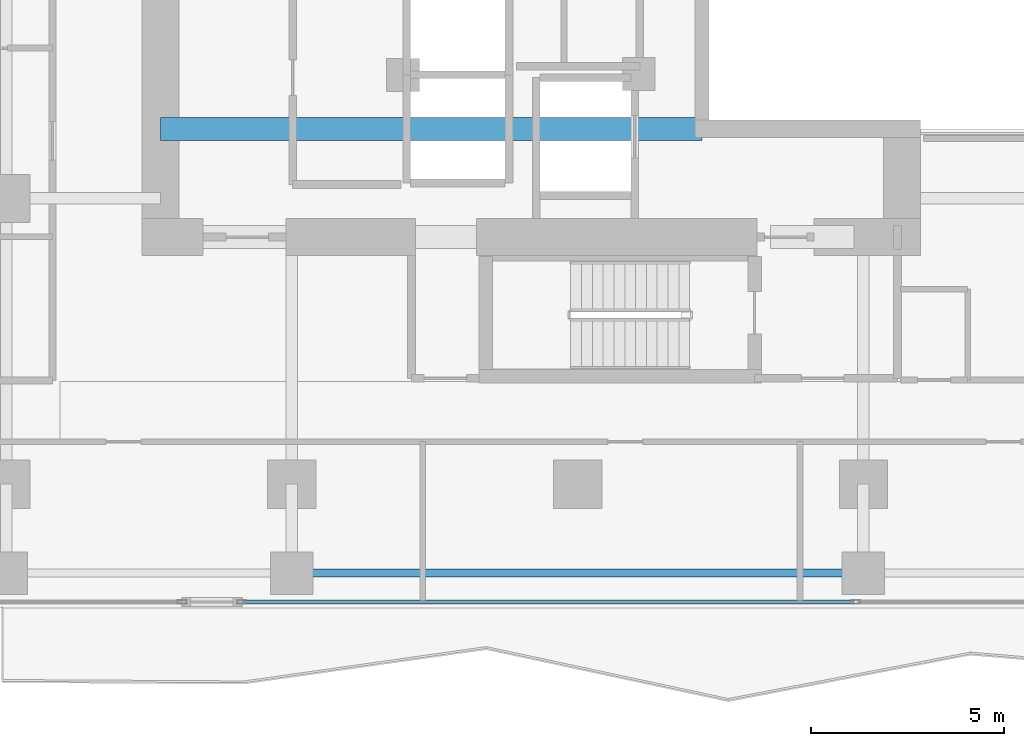
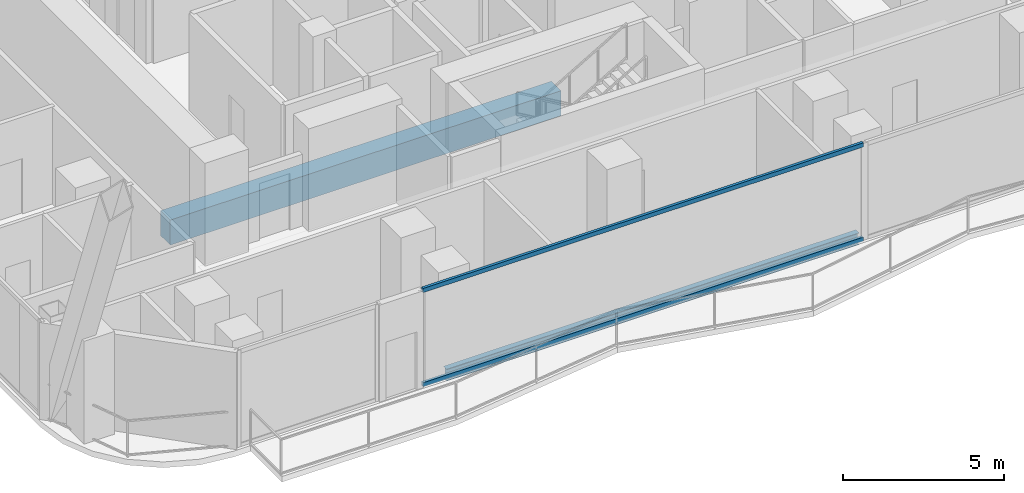
# One storey, part 3 of 28: 2 beams, 2 members, 1 element without a shape of its own.
"""IFC4 building model written with IfcOpenShell, lengths in metres."""

from ifc_helpers import new_model, si_unit, direction, frame, origin, origin_2d, place, context, subcontext, project, spatial, rectangle, hollow_rectangle, i_section, extrude, material, layer, layer_set, material_profile, profile_set, type_object, element, aggregate, save


model = new_model("IFC4")

# Units and contexts
model_context = context("Model", 3, precision=1e-05, world=origin(), true_north=direction((0.0, 1.0)))
body_context = subcontext(model_context, "Body", "Model", "MODEL_VIEW")
ifc_project = project(units=[si_unit("LENGTHUNIT", "METRE"), si_unit("AREAUNIT", "SQUARE_METRE"), si_unit("VOLUMEUNIT", "CUBIC_METRE"), si_unit("PLANEANGLEUNIT", "RADIAN"), si_unit("MASSUNIT", "GRAM", prefix="KILO")], contexts=[model_context])

# Site, building, storey
site_placement = place(None, origin())
site = spatial("IfcSite", under=ifc_project, at=site_placement, CompositionType="ELEMENT")
building_placement = place(site_placement, origin())
building = spatial("IfcBuilding", under=site, at=building_placement, Name="Khorvyn Point Tower", CompositionType="ELEMENT")
storey_placement = place(building_placement, frame((0.0, 0.0, 121.199951171875)))
storey = spatial("IfcBuildingStorey", under=building, at=storey_placement, Name="L30", CompositionType="ELEMENT", Elevation=121.199951171875)

# Curtain wall, members
ifc_material_1 = material(Name="Anodised aluminium 6063-T6 and laminated Low-E glass", Category="aluminium")
ifc_layer = layer(ifc_material_1, 0.18994140625)
ifc_layer_set = layer_set([ifc_layer], Name="Stick-Built Acoustic Curtain Wall CW-SYS-03")
curtain_wall_type = type_object("IfcCurtainWallType", Name="Stick-Built Acoustic Curtain Wall CW-SYS-03", PredefinedType="NOTDEFINED", material=ifc_layer_set)
curtain_wall_placement = place(storey_placement, origin())
curtain_wall = element("IfcCurtainWall", 1, at=curtain_wall_placement, inside=storey, type_object=curtain_wall_type, Name="Curtain Wall", PredefinedType="NOTDEFINED")
ifc_material_2 = material(Name="Anodised aluminium 6063-T6", Category="aluminium")
ifc_material_profile_1 = material_profile(ifc_material_2, hollow_rectangle(XDim=0.10009765625, YDim=0.159912109375, WallThickness=0.00439453125, at=origin_2d()))
ifc_profile_set_1 = profile_set([ifc_material_profile_1], Name="Anodised aluminium 6063-T6 ALU-TRN-100x160")
member_type = type_object("IfcMemberType", Name="Anodised Aluminium 6063-T6 Transom ALU-TRN-100x160", PredefinedType="USERDEFINED", material=ifc_profile_set_1)
member_1_placement = place(storey_placement, frame((7.1494140625, -17.85009765625, 0.050048828125), z_axis=(-1.0, 0.0, 0.0), x_axis=(0.0, -1.0, 0.0)))
member_1 = element("IfcMember", 2, at=member_1_placement, type_object=member_type, Name="Transom", ObjectType="TRANSOM", PredefinedType="USERDEFINED", context=body_context, shape_type="SweptSolid", body=[
    extrude(hollow_rectangle(XDim=0.10009765625, YDim=0.159912109375, WallThickness=0.00439453125, at=origin_2d()), origin(), (0.0, 0.0, 1.0), 15.80029296875),
])
member_2_placement = place(storey_placement, frame((7.1494140625, -17.85009765625, 3.630126953125), z_axis=(-1.0, 0.0, 0.0), x_axis=(0.0, -1.0, 0.0)))
member_2 = element("IfcMember", 3, at=member_2_placement, type_object=member_type, Name="Transom", ObjectType="TRANSOM", PredefinedType="USERDEFINED", context=body_context, shape_type="SweptSolid", body=[
    extrude(hollow_rectangle(XDim=0.10009765625, YDim=0.159912109375, WallThickness=0.00439453125, at=origin_2d()), origin(), (0.0, 0.0, 1.0), 15.80029296875),
])
aggregate(curtain_wall, [member_1, member_2])

# Beams
ifc_material_3 = material(Name="Concrete C50/60", Category="concrete")
ifc_material_profile_2 = material_profile(ifc_material_3, rectangle(XDim=0.60009765625, YDim=0.949951171875, at=origin_2d()))
ifc_profile_set_2 = profile_set([ifc_material_profile_2], Name="Concrete C50/60 RC600x950")
beam_type_1 = type_object("IfcBeamType", Name="Concrete C50/60 Beam RC600x950", PredefinedType="BEAM", material=ifc_profile_set_2)
beam_1_placement = place(storey_placement, frame((-10.800048828125, -5.60009765625, -0.695068359375), z_axis=(1.0, 0.0, 0.0), x_axis=(0.0, 1.0, 0.0)))
element("IfcBeam", 4, at=beam_1_placement, inside=storey, type_object=beam_type_1, Name="L30 Core Internal Tie Girder S", PredefinedType="BEAM", context=body_context, shape_type="SweptSolid", body=[
    extrude(rectangle(XDim=0.60009765625, YDim=0.949951171875, at=origin_2d()), origin(), (0.0, 0.0, 1.0), 14.02001953125),
])
ifc_material_4 = material(Name="Steel S355", Category="steel")
ifc_material_profile_3 = material_profile(ifc_material_4, i_section(OverallWidth=0.199951171875, OverallDepth=0.449951171875, WebThickness=0.009033203125, FlangeThickness=0.013916015625, at=origin_2d()))
ifc_profile_set_3 = profile_set([ifc_material_profile_3], Name="Steel S355 H450x200x9x14")
beam_type_2 = type_object("IfcBeamType", Name="Steel S355 Spandrel H450x200x9x14", PredefinedType="SPANDREL", material=ifc_profile_set_3)
beam_2_placement = place(storey_placement, frame((-7.39990234375, -17.10009765625, -0.445068359375), z_axis=(1.0, 0.0, 0.0), x_axis=(0.0, 1.0, 0.0)))
element("IfcBeam", 5, at=beam_2_placement, inside=storey, type_object=beam_type_2, Name="Beam", PredefinedType="SPANDREL", context=body_context, shape_type="SweptSolid", body=[
    extrude(i_section(OverallWidth=0.199951171875, OverallDepth=0.449951171875, WebThickness=0.009033203125, FlangeThickness=0.013916015625, at=origin_2d()), origin(), (0.0, 0.0, 1.0), 14.7998046875),
])

save(model, "model.ifc")
